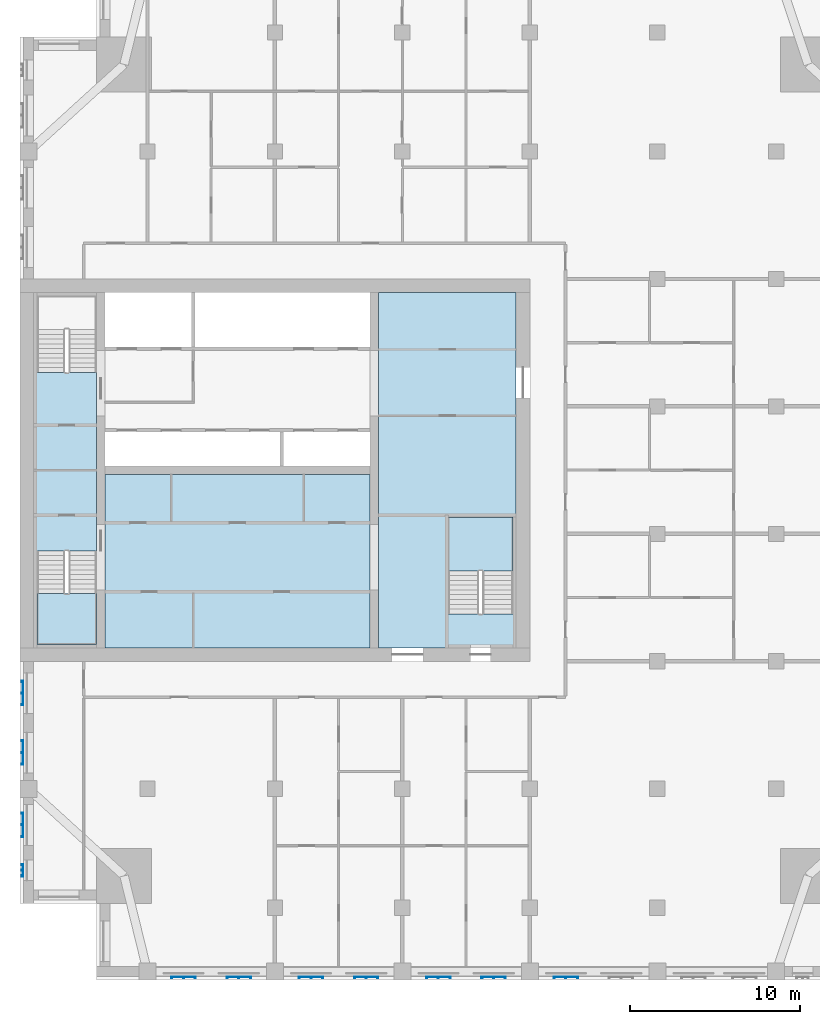
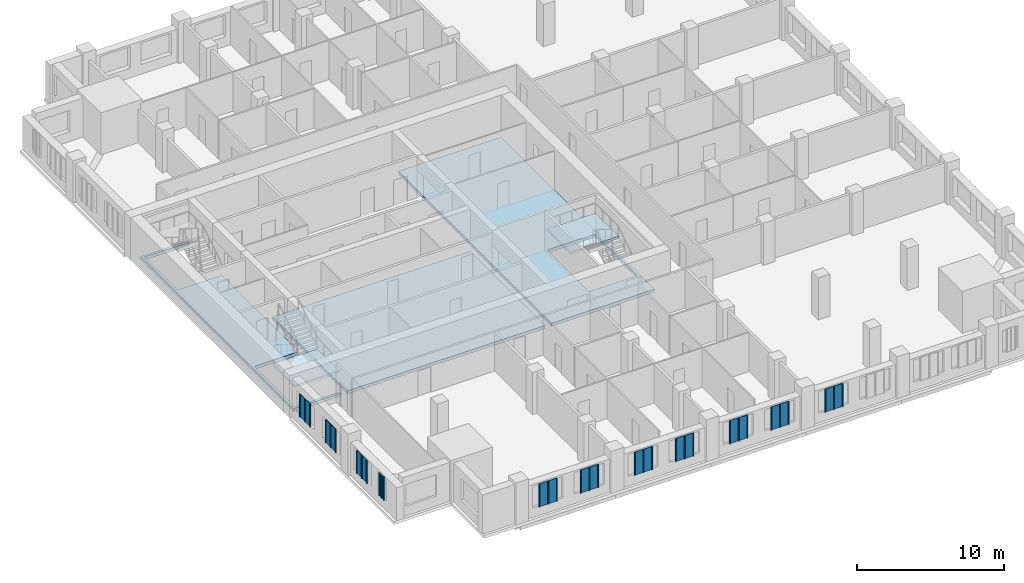
# One storey, part 2 of 14: 11 plates, 5 slabs, 2 elements without a shape of their own.
"""IFC4 building model written with IfcOpenShell, lengths in metres."""

from ifc_helpers import new_model, si_unit, direction, frame, origin, place, context, subcontext, project, spatial, polyline, outline, extrude, material, layer, layer_set, type_object, element, aggregate, save


model = new_model("IFC4")

# Units and contexts
model_context = context("Model", 3, precision=1e-05, world=origin(), true_north=direction((0.0, 1.0)))
body_context = subcontext(model_context, "Body", "Model", "MODEL_VIEW")
ifc_project = project(units=[si_unit("LENGTHUNIT", "METRE"), si_unit("AREAUNIT", "SQUARE_METRE"), si_unit("VOLUMEUNIT", "CUBIC_METRE"), si_unit("PLANEANGLEUNIT", "RADIAN"), si_unit("MASSUNIT", "GRAM", prefix="KILO")], contexts=[model_context])

# Site, building, storey
site_placement = place(None, origin())
site = spatial("IfcSite", under=ifc_project, at=site_placement, CompositionType="ELEMENT")
building_placement = place(site_placement, origin())
building = spatial("IfcBuilding", under=site, at=building_placement, Name="Tamorin Gate", CompositionType="ELEMENT")
storey_placement = place(building_placement, frame((0.0, 0.0, 203.699951171875)))
storey = spatial("IfcBuildingStorey", under=building, at=storey_placement, Name="L50", CompositionType="ELEMENT", Elevation=203.699951171875)

# Slabs
ifc_material_1 = material(Name="Concrete C40/50", Category="concrete")
ifc_layer_1 = layer(ifc_material_1, 0.25)
ifc_layer_set_1 = layer_set([ifc_layer_1], Name="Core floor slab 250 C40/50")
slab_type_1 = type_object("IfcSlabType", Name="Core floor slab 250 C40/50", PredefinedType="FLOOR", material=ifc_layer_set_1)
slab_1_placement = place(storey_placement, frame((0.0, 0.0, -0.25)))
element("IfcSlab", 1, at=slab_1_placement, inside=storey, type_object=slab_type_1, Name="Core floor L50", PredefinedType="FLOOR", context=body_context, shape_type="SweptSolid", body=[
    extrude(outline(polyline([(51.10009765625, 81.699951171875), (59.199951171875, 81.699951171875), (59.199951171875, 60.800048828125), (51.10009765625, 60.800048828125), (51.10009765625, 81.699951171875)]), holes=[polyline([(55.199951171875, 62.800048828125), (59.0, 62.800048828125), (59.0, 68.5), (55.199951171875, 68.5), (55.199951171875, 62.800048828125)])]), origin(), (0.0, 0.0, 1.0), 0.25),
])
slab_2_placement = place(storey_placement, frame((0.0, 0.0, -0.25)))
element("IfcSlab", 2, at=slab_2_placement, inside=storey, type_object=slab_type_1, Name="Core floor L50", PredefinedType="FLOOR", context=body_context, shape_type="SweptSolid", body=[
    extrude(outline(polyline([(50.60009765625, 71.0), (50.60009765625, 60.800048828125), (35.0, 60.800048828125), (35.0, 71.0), (50.60009765625, 71.0)])), origin(), (0.0, 0.0, 1.0), 0.25),
])
slab_3_placement = place(storey_placement, frame((0.0, 0.0, -0.25)))
element("IfcSlab", 3, at=slab_3_placement, inside=storey, type_object=slab_type_1, Name="Core floor L50", PredefinedType="FLOOR", context=body_context, shape_type="SweptSolid", body=[
    extrude(outline(polyline([(34.5, 60.800048828125), (30.800048828125, 60.800048828125), (30.800048828125, 81.699951171875), (34.5, 81.699951171875), (34.5, 81.5), (31.0, 81.5), (31.0, 77.0), (34.5, 77.0), (34.5, 66.5), (31.0, 66.5), (31.0, 61.0), (34.5, 61.0), (34.5, 60.800048828125)])), origin(), (0.0, 0.0, 1.0), 0.25),
])

# Stair, slab
stair_type = type_object("IfcStairType", Name="Exit stair", PredefinedType="HALF_TURN_STAIR", material=ifc_material_1)
stair_1_placement = place(storey_placement, origin())
stair_1 = element("IfcStair", 4, at=stair_1_placement, inside=storey, type_object=stair_type, Name="L50 stair ST1", PredefinedType="HALF_TURN_STAIR")
ifc_layer_2 = layer(ifc_material_1, 0.199951171875)
ifc_layer_set_2 = layer_set([ifc_layer_2], Name="Exit stair landing 200")
slab_type_2 = type_object("IfcSlabType", Name="Exit stair landing 200", PredefinedType="LANDING", material=ifc_layer_set_2)
slab_4_placement = place(storey_placement, frame((0.0, 0.0, 1.550048828125)))
slab_4 = element("IfcSlab", 5, at=slab_4_placement, type_object=slab_type_2, Name="ST1 landing 1", PredefinedType="LANDING", context=body_context, shape_type="SweptSolid", body=[
    extrude(outline(polyline([(31.0, 63.97998046875), (31.0, 61.0), (34.5, 61.0), (34.5, 63.97998046875), (31.0, 63.97998046875)])), origin(), (0.0, 0.0, 1.0), 0.199951171875),
])
aggregate(stair_1, [slab_4])

stair_2_placement = place(storey_placement, origin())
stair_2 = element("IfcStair", 6, at=stair_2_placement, inside=storey, type_object=stair_type, Name="L50 stair ST3", PredefinedType="HALF_TURN_STAIR")
slab_5_placement = place(storey_placement, frame((0.0, 0.0, 1.550048828125)))
slab_5 = element("IfcSlab", 7, at=slab_5_placement, type_object=slab_type_2, Name="ST3 landing 1", PredefinedType="LANDING", context=body_context, shape_type="SweptSolid", body=[
    extrude(outline(polyline([(59.0, 65.320068359375), (59.0, 68.5), (55.199951171875, 68.5), (55.199951171875, 65.320068359375), (59.0, 65.320068359375)])), origin(), (0.0, 0.0, 1.0), 0.199951171875),
])
aggregate(stair_2, [slab_5])

# Plates
ifc_material_2 = material(Name="Perforated pale aluminium sheet", Category="aluminium")
ifc_layer_3 = layer(ifc_material_2, 0.0400390625)
ifc_layer_set_3 = layer_set([ifc_layer_3], Name="Pale metal solar screen 1440")
plate_type_1 = type_object("IfcPlateType", Name="Pale metal solar screen 1440", PredefinedType="SHEET", material=ifc_layer_set_3)
plate_1_placement = place(storey_placement, frame((0.0, 0.0, 0.737548828125)))
element("IfcPlate", 8, at=plate_1_placement, inside=storey, type_object=plate_type_1, Name="Perforated solar screen", PredefinedType="SHEET", context=body_context, shape_type="SweptSolid", body=[
    extrude(outline(polyline([(38.905029296875, 41.409912109375), (38.905029296875, 41.449951171875), (38.965087890625, 41.449951171875), (39.594970703125, 41.449951171875), (39.655029296875, 41.449951171875), (40.284912109375, 41.449951171875), (40.344970703125, 41.449951171875), (40.344970703125, 41.449951171875), (40.344970703125, 41.409912109375), (40.344970703125, 41.409912109375), (40.344970703125, 41.35009765625), (40.284912109375, 41.35009765625), (40.284912109375, 41.409912109375), (39.655029296875, 41.409912109375), (39.655029296875, 41.35009765625), (39.594970703125, 41.35009765625), (39.594970703125, 41.409912109375), (38.965087890625, 41.409912109375), (38.965087890625, 41.35009765625), (38.905029296875, 41.35009765625), (38.905029296875, 41.409912109375)])), origin(), (0.0, 0.0, 1.0), 1.925048828125),
])
plate_2_placement = place(storey_placement, frame((0.0, 0.0, 0.737548828125)))
element("IfcPlate", 9, at=plate_2_placement, inside=storey, type_object=plate_type_1, Name="Perforated solar screen", PredefinedType="SHEET", context=body_context, shape_type="SweptSolid", body=[
    extrude(outline(polyline([(42.155029296875, 41.409912109375), (42.155029296875, 41.449951171875), (42.215087890625, 41.449951171875), (42.844970703125, 41.449951171875), (42.905029296875, 41.449951171875), (43.534912109375, 41.449951171875), (43.594970703125, 41.449951171875), (43.594970703125, 41.409912109375), (43.594970703125, 41.35009765625), (43.534912109375, 41.35009765625), (43.534912109375, 41.409912109375), (42.905029296875, 41.409912109375), (42.905029296875, 41.35009765625), (42.844970703125, 41.35009765625), (42.844970703125, 41.409912109375), (42.215087890625, 41.409912109375), (42.215087890625, 41.35009765625), (42.155029296875, 41.35009765625), (42.155029296875, 41.409912109375)])), origin(), (0.0, 0.0, 1.0), 1.925048828125),
])
plate_3_placement = place(storey_placement, frame((0.0, 0.0, 0.737548828125)))
element("IfcPlate", 10, at=plate_3_placement, inside=storey, type_object=plate_type_1, Name="Perforated solar screen", PredefinedType="SHEET", context=body_context, shape_type="SweptSolid", body=[
    extrude(outline(polyline([(46.405029296875, 41.409912109375), (46.405029296875, 41.449951171875), (46.465087890625, 41.449951171875), (47.094970703125, 41.449951171875), (47.155029296875, 41.449951171875), (47.784912109375, 41.449951171875), (47.844970703125, 41.449951171875), (47.844970703125, 41.409912109375), (47.844970703125, 41.35009765625), (47.784912109375, 41.35009765625), (47.784912109375, 41.409912109375), (47.155029296875, 41.409912109375), (47.155029296875, 41.35009765625), (47.094970703125, 41.35009765625), (47.094970703125, 41.409912109375), (46.465087890625, 41.409912109375), (46.465087890625, 41.35009765625), (46.405029296875, 41.35009765625), (46.405029296875, 41.409912109375)])), origin(), (0.0, 0.0, 1.0), 1.925048828125),
])
plate_4_placement = place(storey_placement, frame((0.0, 0.0, 0.737548828125)))
element("IfcPlate", 11, at=plate_4_placement, inside=storey, type_object=plate_type_1, Name="Perforated solar screen", PredefinedType="SHEET", context=body_context, shape_type="SweptSolid", body=[
    extrude(outline(polyline([(49.655029296875, 41.409912109375), (49.655029296875, 41.449951171875), (49.715087890625, 41.449951171875), (50.344970703125, 41.449951171875), (50.405029296875, 41.449951171875), (51.034912109375, 41.449951171875), (51.094970703125, 41.449951171875), (51.094970703125, 41.409912109375), (51.094970703125, 41.35009765625), (51.034912109375, 41.35009765625), (51.034912109375, 41.409912109375), (50.405029296875, 41.409912109375), (50.405029296875, 41.35009765625), (50.344970703125, 41.35009765625), (50.344970703125, 41.409912109375), (49.715087890625, 41.409912109375), (49.715087890625, 41.35009765625), (49.655029296875, 41.35009765625), (49.655029296875, 41.409912109375)])), origin(), (0.0, 0.0, 1.0), 1.925048828125),
])
plate_5_placement = place(storey_placement, frame((0.0, 0.0, 0.737548828125)))
element("IfcPlate", 12, at=plate_5_placement, inside=storey, type_object=plate_type_1, Name="Perforated solar screen", PredefinedType="SHEET", context=body_context, shape_type="SweptSolid", body=[
    extrude(outline(polyline([(53.905029296875, 41.409912109375), (53.905029296875, 41.449951171875), (53.965087890625, 41.449951171875), (54.594970703125, 41.449951171875), (54.655029296875, 41.449951171875), (55.284912109375, 41.449951171875), (55.344970703125, 41.449951171875), (55.344970703125, 41.409912109375), (55.344970703125, 41.35009765625), (55.284912109375, 41.35009765625), (55.284912109375, 41.409912109375), (54.655029296875, 41.409912109375), (54.655029296875, 41.35009765625), (54.594970703125, 41.35009765625), (54.594970703125, 41.409912109375), (53.965087890625, 41.409912109375), (53.965087890625, 41.35009765625), (53.905029296875, 41.35009765625), (53.905029296875, 41.409912109375)])), origin(), (0.0, 0.0, 1.0), 1.925048828125),
])
plate_6_placement = place(storey_placement, frame((0.0, 0.0, 0.737548828125)))
element("IfcPlate", 13, at=plate_6_placement, inside=storey, type_object=plate_type_1, Name="Perforated solar screen", PredefinedType="SHEET", context=body_context, shape_type="SweptSolid", body=[
    extrude(outline(polyline([(57.155029296875, 41.409912109375), (57.155029296875, 41.449951171875), (57.215087890625, 41.449951171875), (57.844970703125, 41.449951171875), (57.905029296875, 41.449951171875), (58.534912109375, 41.449951171875), (58.594970703125, 41.449951171875), (58.594970703125, 41.409912109375), (58.594970703125, 41.35009765625), (58.534912109375, 41.35009765625), (58.534912109375, 41.409912109375), (57.905029296875, 41.409912109375), (57.905029296875, 41.35009765625), (57.844970703125, 41.35009765625), (57.844970703125, 41.409912109375), (57.215087890625, 41.409912109375), (57.215087890625, 41.35009765625), (57.155029296875, 41.35009765625), (57.155029296875, 41.409912109375)])), origin(), (0.0, 0.0, 1.0), 1.925048828125),
])
plate_7_placement = place(storey_placement, frame((0.0, 0.0, 0.737548828125)))
element("IfcPlate", 14, at=plate_7_placement, inside=storey, type_object=plate_type_1, Name="Perforated solar screen", PredefinedType="SHEET", context=body_context, shape_type="SweptSolid", body=[
    extrude(outline(polyline([(61.405029296875, 41.409912109375), (61.405029296875, 41.449951171875), (61.465087890625, 41.449951171875), (62.094970703125, 41.449951171875), (62.155029296875, 41.449951171875), (62.784912109375, 41.449951171875), (62.844970703125, 41.449951171875), (62.844970703125, 41.409912109375), (62.844970703125, 41.35009765625), (62.784912109375, 41.35009765625), (62.784912109375, 41.409912109375), (62.155029296875, 41.409912109375), (62.155029296875, 41.35009765625), (62.094970703125, 41.35009765625), (62.094970703125, 41.409912109375), (61.465087890625, 41.409912109375), (61.465087890625, 41.35009765625), (61.405029296875, 41.35009765625), (61.405029296875, 41.409912109375)])), origin(), (0.0, 0.0, 1.0), 1.925048828125),
])
plate_8_placement = place(storey_placement, frame((0.0, 0.0, 0.737548828125)))
element("IfcPlate", 15, at=plate_8_placement, inside=storey, type_object=plate_type_1, Name="Perforated solar screen", PredefinedType="SHEET", context=body_context, shape_type="SweptSolid", body=[
    extrude(outline(polyline([(30.159912109375, 55.344970703125), (30.199951171875, 55.344970703125), (30.199951171875, 55.284912109375), (30.199951171875, 54.655029296875), (30.199951171875, 54.594970703125), (30.199951171875, 53.965087890625), (30.199951171875, 53.905029296875), (30.159912109375, 53.905029296875), (30.10009765625, 53.905029296875), (30.10009765625, 53.965087890625), (30.159912109375, 53.965087890625), (30.159912109375, 54.594970703125), (30.10009765625, 54.594970703125), (30.10009765625, 54.655029296875), (30.159912109375, 54.655029296875), (30.159912109375, 55.284912109375), (30.10009765625, 55.284912109375), (30.10009765625, 55.344970703125), (30.159912109375, 55.344970703125)])), origin(), (0.0, 0.0, 1.0), 1.925048828125),
])
plate_9_placement = place(storey_placement, frame((0.0, 0.0, 0.737548828125)))
element("IfcPlate", 16, at=plate_9_placement, inside=storey, type_object=plate_type_1, Name="Perforated solar screen", PredefinedType="SHEET", context=body_context, shape_type="SweptSolid", body=[
    extrude(outline(polyline([(30.159912109375, 58.844970703125), (30.199951171875, 58.844970703125), (30.199951171875, 58.784912109375), (30.199951171875, 58.155029296875), (30.199951171875, 58.094970703125), (30.199951171875, 57.465087890625), (30.199951171875, 57.405029296875), (30.159912109375, 57.405029296875), (30.10009765625, 57.405029296875), (30.10009765625, 57.465087890625), (30.159912109375, 57.465087890625), (30.159912109375, 58.094970703125), (30.10009765625, 58.094970703125), (30.10009765625, 58.155029296875), (30.159912109375, 58.155029296875), (30.159912109375, 58.784912109375), (30.10009765625, 58.784912109375), (30.10009765625, 58.844970703125), (30.159912109375, 58.844970703125)])), origin(), (0.0, 0.0, 1.0), 1.925048828125),
])
plate_10_placement = place(storey_placement, frame((0.0, 0.0, 0.737548828125)))
element("IfcPlate", 17, at=plate_10_placement, inside=storey, type_object=plate_type_1, Name="Perforated solar screen", PredefinedType="SHEET", context=body_context, shape_type="SweptSolid", body=[
    extrude(outline(polyline([(30.159912109375, 51.094970703125), (30.199951171875, 51.094970703125), (30.199951171875, 51.034912109375), (30.199951171875, 50.405029296875), (30.199951171875, 50.344970703125), (30.199951171875, 49.715087890625), (30.199951171875, 49.655029296875), (30.159912109375, 49.655029296875), (30.10009765625, 49.655029296875), (30.10009765625, 49.715087890625), (30.159912109375, 49.715087890625), (30.159912109375, 50.344970703125), (30.10009765625, 50.344970703125), (30.10009765625, 50.405029296875), (30.159912109375, 50.405029296875), (30.159912109375, 51.034912109375), (30.10009765625, 51.034912109375), (30.10009765625, 51.094970703125), (30.159912109375, 51.094970703125)])), origin(), (0.0, 0.0, 1.0), 1.925048828125),
])
ifc_layer_4 = layer(ifc_material_2, 0.0400390625)
ifc_layer_set_4 = layer_set([ifc_layer_4], Name="Pale metal solar screen 720")
plate_type_2 = type_object("IfcPlateType", Name="Pale metal solar screen 720", PredefinedType="SHEET", material=ifc_layer_set_4)
plate_11_placement = place(storey_placement, frame((0.0, 0.0, 0.737548828125)))
element("IfcPlate", 18, at=plate_11_placement, inside=storey, type_object=plate_type_2, Name="Perforated solar screen", PredefinedType="SHEET", context=body_context, shape_type="SweptSolid", body=[
    extrude(outline(polyline([(30.159912109375, 48.06005859375), (30.199951171875, 48.06005859375), (30.199951171875, 48.0), (30.199951171875, 47.72998046875), (30.199951171875, 47.669921875), (30.199951171875, 47.39990234375), (30.199951171875, 47.340087890625), (30.159912109375, 47.340087890625), (30.10009765625, 47.340087890625), (30.10009765625, 47.39990234375), (30.159912109375, 47.39990234375), (30.159912109375, 47.669921875), (30.10009765625, 47.669921875), (30.10009765625, 47.72998046875), (30.159912109375, 47.72998046875), (30.159912109375, 48.0), (30.10009765625, 48.0), (30.10009765625, 48.06005859375), (30.159912109375, 48.06005859375)])), origin(), (0.0, 0.0, 1.0), 1.925048828125),
])

save(model, "model.ifc")
